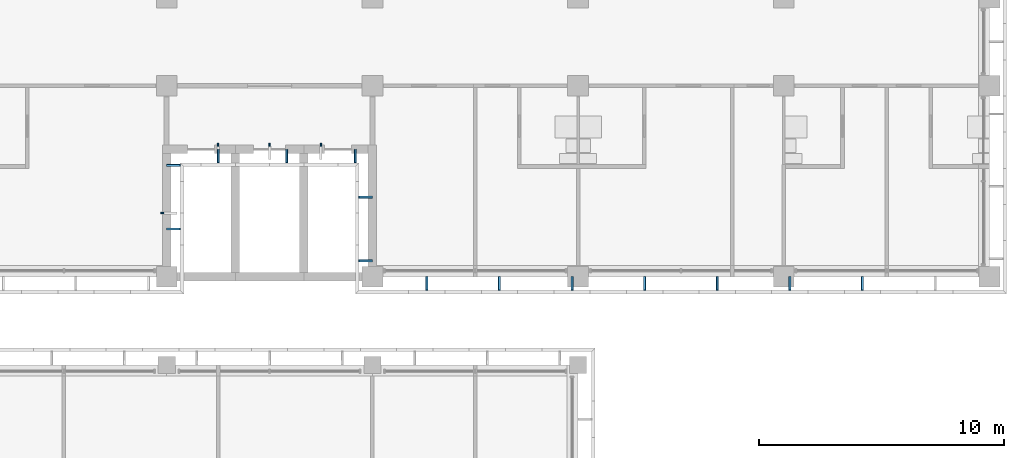
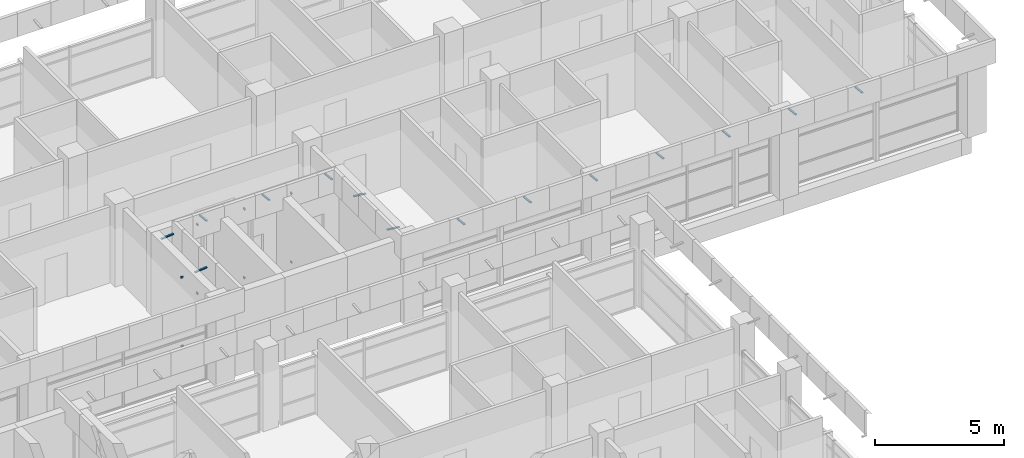
# One storey, part 58 of 74: 22 discrete accessories.
"""IFC4 building model written with IfcOpenShell, lengths in metres."""

from ifc_helpers import new_model, si_unit, direction, frame, origin, origin_2d, place, context, subcontext, project, spatial, rectangle, extrude, material, material_profile, profile_set, type_object, element, save


model = new_model("IFC4")

# Units and contexts
model_context = context("Model", 3, precision=1e-05, world=origin(), true_north=direction((0.0, 1.0)))
body_context = subcontext(model_context, "Body", "Model", "MODEL_VIEW")
ifc_project = project(units=[si_unit("LENGTHUNIT", "METRE"), si_unit("AREAUNIT", "SQUARE_METRE"), si_unit("VOLUMEUNIT", "CUBIC_METRE"), si_unit("PLANEANGLEUNIT", "RADIAN"), si_unit("MASSUNIT", "GRAM", prefix="KILO")], contexts=[model_context])

# Site, building, storey
site_placement = place(None, origin())
site = spatial("IfcSite", under=ifc_project, at=site_placement, CompositionType="ELEMENT")
building_placement = place(site_placement, origin())
building = spatial("IfcBuilding", under=site, at=building_placement, Name="Bougainvillea Quay General Hospital", CompositionType="ELEMENT")
storey_placement = place(building_placement, frame((0.0, 0.0, 21.0)))
storey = spatial("IfcBuildingStorey", under=building, at=storey_placement, Name="L04", CompositionType="ELEMENT", Elevation=21.0)

# Discrete accessories
ifc_material = material(Name="Stainless steel bracket, grade 316", Category="steel")
discrete_accessory_type_1 = type_object("IfcDiscreteAccessoryType", Name="Stainless steel fin arm 60x80", PredefinedType="BRACKET", material=ifc_material)
for number, where, z_axis, x_axis, name in (
    (1, (151.010009765625, 143.0, 0.0), (0.0, 0.0, 1.0), (1.0, 0.0, 0.0), "Fin arm V5A L04 07.1B"),
    (2, (151.010009765625, 143.0, 3.25), (0.0, 0.0, 1.0), (1.0, 0.0, 0.0), "Fin arm V5A L04 07.1T"),
    (3, (157.5, 145.7900390625, 0.0), (0.0, 0.0, 1.0), (0.0, -1.0, 0.0), "Fin arm V5A L04 08.1B"),
    (4, (157.5, 145.7900390625, 3.25), (0.0, 0.0, 1.0), (0.0, -1.0, 0.0), "Fin arm V5A L04 08.1T"),
    (5, (155.39990234375, 145.7900390625, 0.0), (0.0, 0.0, 1.0), (0.0, -1.0, 0.0), "Fin arm V5A L04 08.2B"),
    (6, (155.39990234375, 145.7900390625, 3.25), (0.0, 0.0, 1.0), (0.0, -1.0, 0.0), "Fin arm V5A L04 08.2T"),
    (7, (153.300048828125, 145.7900390625, 0.0), (0.0, 0.0, 1.0), (0.0, -1.0, 0.0), "Fin arm V5A L04 08.3B"),
    (8, (153.300048828125, 145.7900390625, 3.25), (0.0, 0.0, 1.0), (0.0, -1.0, 0.0), "Fin arm V5A L04 08.3T"),
):
    element("IfcDiscreteAccessory", number, at=place(storey_placement, frame(where, z_axis=z_axis, x_axis=x_axis)), inside=storey, type_object=discrete_accessory_type_1, Name=name, PredefinedType="BRACKET", context=body_context, shape_type="SweptSolid", body=[
        extrude(rectangle(XDim=0.1201171875, YDim=0.06005859375, at=origin_2d()), origin(), (0.0, 0.0, 1.0), 0.080078125),
    ])
ifc_material_profile = material_profile(ifc_material, rectangle(XDim=0.080078125, YDim=0.050048828125, at=origin_2d()))
ifc_profile_set = profile_set([ifc_material_profile], Name="Stainless steel bracket, grade 316")
discrete_accessory_type_2 = type_object("IfcDiscreteAccessoryType", Name="Stainless steel stand-off bracket 80x50", PredefinedType="BRACKET", material=ifc_profile_set)
for number, where, z_axis, x_axis, name in (
    (9, (151.199951171875, 142.35009765625, 3.840087890625), (0.994139309541, 0.0, 0.108106582706), (0.0, 1.0, 0.0), "Fascia bracket e0 193"),
    (10, (151.199951171875, 144.949951171875, 3.840087890625), (0.994139309541, 0.0, 0.108106582706), (0.0, 1.0, 0.0), "Fascia bracket e0 195"),
    (11, (153.300048828125, 145.60009765625, 3.840087890625), (0.0, -0.994139309541, 0.108106582706), (1.0, 0.0, 0.0), "Fascia bracket e0 197"),
    (12, (156.10009765625, 145.60009765625, 3.840087890625), (0.0, -0.994139309541, 0.108106582706), (1.0, 0.0, 0.0), "Fascia bracket e0 199"),
    (13, (158.89990234375, 145.60009765625, 3.840087890625), (0.0, -0.994139309541, 0.108106582706), (1.0, 0.0, 0.0), "Fascia bracket e0 201"),
    (14, (159.60009765625, 143.64990234375, 3.840087890625), (-0.994139309541, 0.0, 0.108106582706), (0.0, -1.0, 0.0), "Fascia bracket e0 203"),
    (15, (159.60009765625, 141.050048828125, 3.840087890625), (-0.994139309541, 0.0, 0.108106582706), (0.0, -1.0, 0.0), "Fascia bracket e0 205"),
):
    element("IfcDiscreteAccessory", number, at=place(storey_placement, frame(where, z_axis=z_axis, x_axis=x_axis)), inside=storey, type_object=discrete_accessory_type_2, Name=name, PredefinedType="BRACKET", context=body_context, shape_type="SweptSolid", body=[
        extrude(rectangle(XDim=0.080078125, YDim=0.050048828125, at=origin_2d()), origin(), (0.0, 0.0, 1.0), 0.55322265625),
    ])
for number, where, z_axis, x_axis, name in (
    (16, (161.823486328125, 140.39990234375, 3.840087890625), (0.0, -0.994134149227, 0.108154026004), (1.0, 0.0, 0.0), "Fascia bracket e0 207"),
    (17, (164.788330078125, 140.39990234375, 3.840087890625), (0.0, -0.994134149227, 0.108154026004), (1.0, 0.0, 0.0), "Fascia bracket e0 209"),
    (18, (167.7529296875, 140.39990234375, 3.840087890625), (0.0, -0.994134149227, 0.108154026004), (1.0, 0.0, 0.0), "Fascia bracket e0 211"),
    (19, (170.717529296875, 140.39990234375, 3.840087890625), (0.0, -0.994134149227, 0.108154026004), (1.0, 0.0, 0.0), "Fascia bracket e0 213"),
    (20, (173.682373046875, 140.39990234375, 3.840087890625), (0.0, -0.994134149227, 0.108154026004), (1.0, 0.0, 0.0), "Fascia bracket e0 215"),
    (21, (176.64697265625, 140.39990234375, 3.840087890625), (0.0, -0.994134149227, 0.108154026004), (1.0, 0.0, 0.0), "Fascia bracket e0 217"),
    (22, (179.61181640625, 140.39990234375, 3.840087890625), (0.0, -0.994134149227, 0.108154026004), (1.0, 0.0, 0.0), "Fascia bracket e0 219"),
):
    element("IfcDiscreteAccessory", number, at=place(storey_placement, frame(where, z_axis=z_axis, x_axis=x_axis)), inside=storey, type_object=discrete_accessory_type_2, Name=name, PredefinedType="BRACKET", context=body_context, shape_type="SweptSolid", body=[
        extrude(rectangle(XDim=0.080078125, YDim=0.050048828125, at=origin_2d()), origin(), (0.0, 0.0, 1.0), 0.552978515625),
    ])

save(model, "model.ifc")
